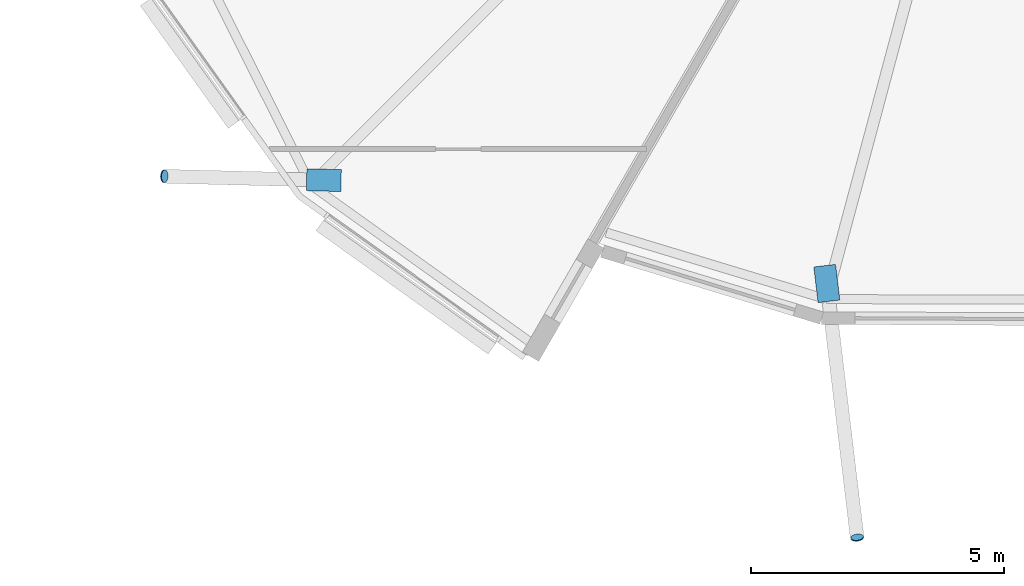
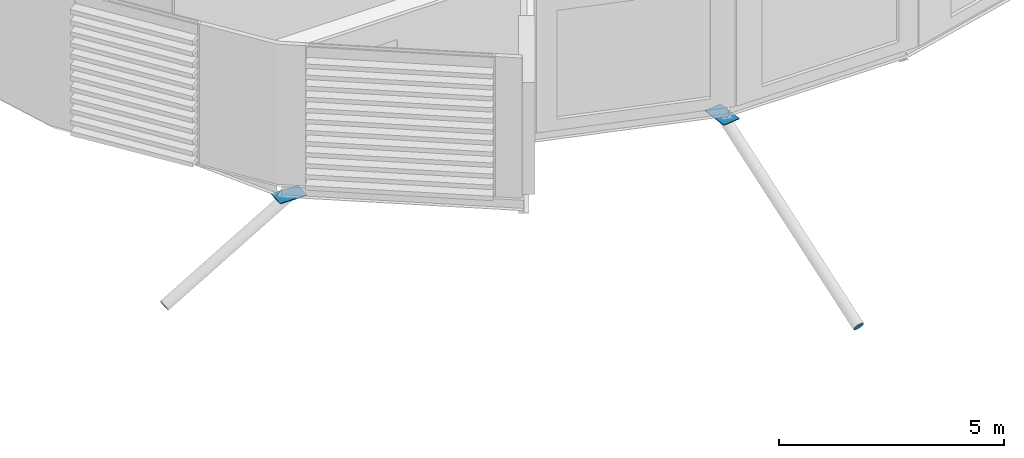
# One storey, part 30 of 41: 4 discrete accessories.
"""IFC4 building model written with IfcOpenShell, lengths in metres."""

from ifc_helpers import new_model, si_unit, direction, frame, origin, origin_2d, place, context, subcontext, project, spatial, polyline, rectangle, circle, outline, extrude, material, material_profile, profile_set, type_object, element, save


model = new_model("IFC4")

# Units and contexts
model_context = context("Model", 3, precision=1e-05, world=origin(), true_north=direction((0.0, 1.0)))
body_context = subcontext(model_context, "Body", "Model", "MODEL_VIEW")
ifc_project = project(units=[si_unit("LENGTHUNIT", "METRE"), si_unit("AREAUNIT", "SQUARE_METRE"), si_unit("VOLUMEUNIT", "CUBIC_METRE"), si_unit("PLANEANGLEUNIT", "RADIAN"), si_unit("MASSUNIT", "GRAM", prefix="KILO")], contexts=[model_context])

# Site, building, storey
site_placement = place(None, origin())
site = spatial("IfcSite", under=ifc_project, at=site_placement, CompositionType="ELEMENT")
building_placement = place(site_placement, origin())
building = spatial("IfcBuilding", under=site, at=building_placement, Name="Rimbun Link Towers", CompositionType="ELEMENT")
storey_placement = place(building_placement, frame((0.0, 0.0, 214.300048828125)))
storey = spatial("IfcBuildingStorey", under=building, at=storey_placement, Name="L52", CompositionType="ELEMENT", Elevation=214.300048828125)

# Discrete accessories
ifc_material_1 = material(Name="Steel S355J2H", Category="steel")
ifc_material_profile_1 = material_profile(ifc_material_1, circle(Radius=0.1240234375, at=origin_2d()), Name="PL D248")
ifc_profile_set_1 = profile_set([ifc_material_profile_1], Name="Steel S355J2H")
discrete_accessory_type_1 = type_object("IfcDiscreteAccessoryType", Name="Link foot sealing plate D248X20", PredefinedType="BRACKET", material=ifc_profile_set_1)
for number, where, z_axis, x_axis, name in (
    (1, (14.15380859375, -14.540283203125, -2.625732421875), (-0.851823594126, 0.024337816975, -0.523263064963), (-0.028559773899, -0.999592086461, 0.0), "Link foot sealing plate T2 L52 12"),
    (2, (27.817626953125, -21.663330078125, -3.65234375), (0.110265638155, -0.857621630092, -0.502321240483), (0.991835775307, 0.12752174254, 0.0), "Link foot sealing plate T2 L52 14"),
):
    element("IfcDiscreteAccessory", number, at=place(storey_placement, frame(where, z_axis=z_axis, x_axis=x_axis)), inside=storey, type_object=discrete_accessory_type_1, Name=name, PredefinedType="BRACKET", context=body_context, shape_type="SweptSolid", body=[
        extrude(circle(Radius=0.1240234375, at=origin_2d()), origin(), (0.0, 0.0, 1.0), 0.02001953125),
    ])
ifc_material_2 = material(Name="Steel S355J2H", Category="steel")
ifc_material_profile_2 = material_profile(ifc_material_2, rectangle(XDim=0.43310546875, YDim=0.43310546875, at=origin_2d()), Name="PL 433x433")
ifc_profile_set_2 = profile_set([ifc_material_profile_2], Name="Steel S355J2H")
discrete_accessory_type_2 = type_object("IfcDiscreteAccessoryType", Name="Link head end plate 433X20", PredefinedType="BRACKET", material=ifc_profile_set_2)
discrete_accessory_1_placement = place(storey_placement, frame((0.0, 0.0, -0.693115234375)))
element("IfcDiscreteAccessory", 3, at=discrete_accessory_1_placement, inside=storey, type_object=discrete_accessory_type_2, Name="Link head end plate T2 L52 12", PredefinedType="BRACKET", context=body_context, shape_type="SweptSolid", body=[
    extrude(outline(polyline([(17.639404296875, -14.408447265625), (16.958740234375, -14.391845703125), (16.9482421875, -14.82470703125), (17.62890625, -14.84130859375), (17.639404296875, -14.408447265625)])), origin(), (0.0, 0.0, 1.0), 0.02001953125),
])
discrete_accessory_2_placement = place(storey_placement, frame((0.0, 0.0, -0.7626953125)))
element("IfcDiscreteAccessory", 4, at=discrete_accessory_2_placement, inside=storey, type_object=discrete_accessory_type_2, Name="Link head end plate T2 L52 14", PredefinedType="BRACKET", context=body_context, shape_type="SweptSolid", body=[
    extrude(outline(polyline([(26.96337890625, -16.329833984375), (27.04736328125, -17.033935546875), (27.477294921875, -16.982666015625), (27.393310546875, -16.278564453125), (26.96337890625, -16.329833984375)])), origin(), (0.0, 0.0, 1.0), 0.02001953125),
])

save(model, "model.ifc")
